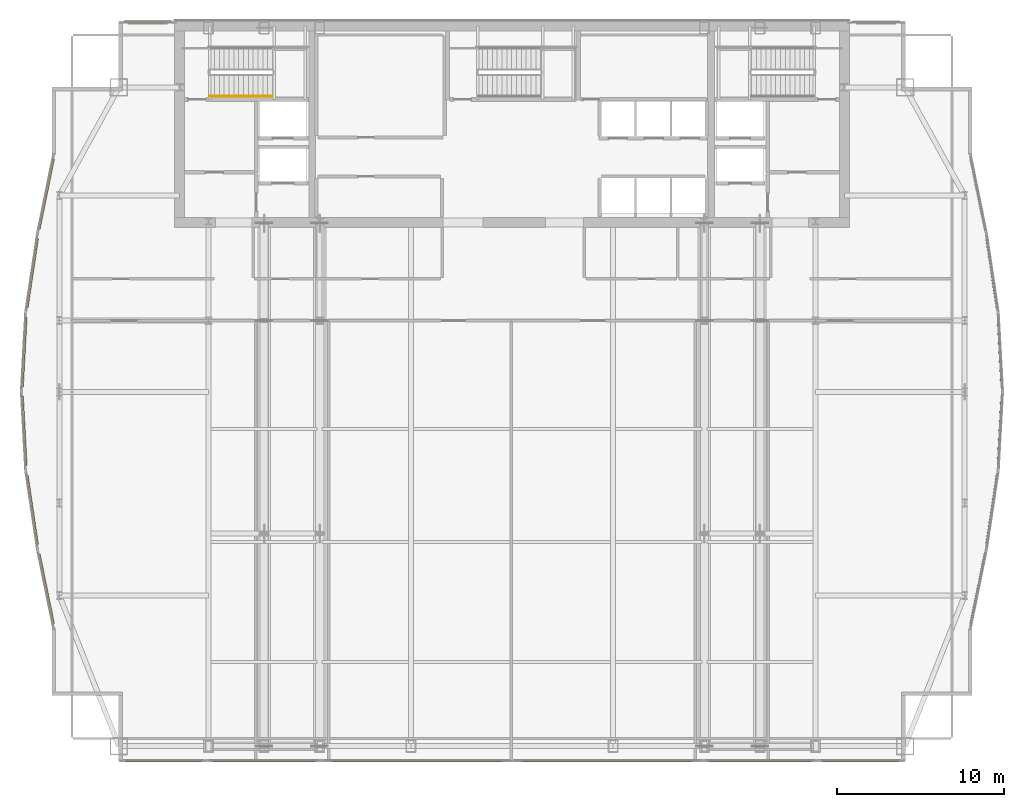
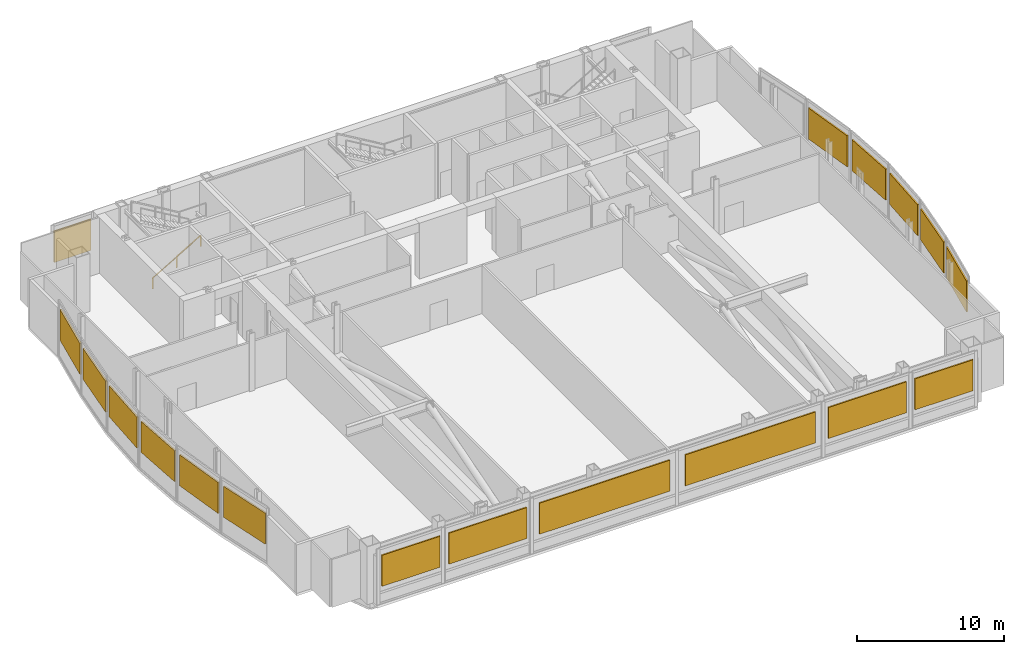
# One storey, part 31 of 32: 18 shading devices, 1 railing.
"""IFC4 building model written with IfcOpenShell, lengths in metres."""

from ifc_helpers import new_model, si_unit, direction, frame, origin, origin_2d, place, context, subcontext, project, spatial, rectangle, extrude, material, layer, layer_set, type_object, element, save


model = new_model("IFC4")

# Units and contexts
model_context = context("Model", 3, precision=1e-05, world=origin(), true_north=direction((0.0, 1.0)))
body_context = subcontext(model_context, "Body", "Model", "MODEL_VIEW")
ifc_project = project(units=[si_unit("LENGTHUNIT", "METRE"), si_unit("AREAUNIT", "SQUARE_METRE"), si_unit("VOLUMEUNIT", "CUBIC_METRE"), si_unit("PLANEANGLEUNIT", "RADIAN"), si_unit("MASSUNIT", "GRAM", prefix="KILO")], contexts=[model_context])

# Site, building, storey
site_placement = place(None, origin())
site = spatial("IfcSite", under=ifc_project, at=site_placement, CompositionType="ELEMENT")
building_placement = place(site_placement, origin())
building = spatial("IfcBuilding", under=site, at=building_placement, Name="Khoronbel Lancet Exchange", CompositionType="ELEMENT")
storey_placement = place(building_placement, frame((0.0, 0.0, 257.0)))
storey = spatial("IfcBuildingStorey", under=building, at=storey_placement, Name="L66", CompositionType="ELEMENT", Elevation=257.0)

# Railing
ifc_material_1 = material(Name="Brushed Stainless Steel 316", Category="steel")
railing_type = type_object("IfcRailingType", Name="RL-STH92", PredefinedType="HANDRAIL", material=ifc_material_1)
railing_placement = place(storey_placement, frame((18.300048828125, 49.169921875, 0.17138671875)))
element("IfcRailing", 1, at=railing_placement, inside=storey, type_object=railing_type, Name="L66 ST1 stair handrail 1", PredefinedType="HANDRAIL", context=body_context, shape_type="SweptSolid", body=[
    extrude(rectangle(XDim=0.048095703125, YDim=0.048095703125, at=origin_2d()), frame((0.0, 0.0, 0.8759765625), z_axis=(0.860848830602, 0.0, 0.508860777473), x_axis=(0.0, 1.0, 0.0)), (0.0, 0.0, 1.0), 4.37939453125),
    extrude(rectangle(XDim=0.0419921875, YDim=0.0419921875, at=origin_2d()), origin(), (0.0, 0.0, 1.0), 0.851806640625),
    extrude(rectangle(XDim=0.0419921875, YDim=0.0419921875, at=origin_2d()), frame((1.885009765625, 0.0, 1.1142578125)), (0.0, 0.0, 1.0), 0.851806640625),
    extrude(rectangle(XDim=0.0419921875, YDim=0.0419921875, at=origin_2d()), frame((3.77001953125, 0.0, 2.228515625)), (0.0, 0.0, 1.0), 0.851806640625),
])

# Shading devices
ifc_material_2 = material(Name="Bronze-Anodised Aluminium 6063-T6", Category="aluminium")
ifc_layer = layer(ifc_material_2, 0.1201171875, Name="Bronze-Anodised Aluminium 6063-T6")
ifc_layer_set = layer_set([ifc_layer], Name="Bronze-Anodised Aluminium 6063-T6")
shading_device_type = type_object("IfcShadingDeviceType", Name="SHD-LVR1", PredefinedType="JALOUSIE", material=ifc_layer_set)
shading_device_1_placement = place(storey_placement, frame((8.49365234375, 19.595458984375, 1.47119140625), z_axis=(0.0, 0.0, 1.0), x_axis=(-0.200052024611, 0.979785276195, 0.0)))
element("IfcShadingDevice", 2, at=shading_device_1_placement, inside=storey, type_object=shading_device_type, Name="Sand-trap bronze acoustic louvre CW-L66-E04-1", PredefinedType="JALOUSIE", context=body_context, shape_type="SweptSolid", body=[
    extrude(rectangle(XDim=4.288330078125, YDim=0.1201171875, at=origin_2d()), origin(), (0.0, 0.0, 1.0), 2.57763671875),
])
shading_device_2_placement = place(storey_placement, frame((7.65380859375, 24.34326171875, 1.47119140625), z_axis=(0.0, 0.0, 1.0), x_axis=(-0.147869395619, 0.98900689676, 0.0)))
element("IfcShadingDevice", 3, at=shading_device_2_placement, inside=storey, type_object=shading_device_type, Name="Sand-trap bronze acoustic louvre CW-L66-E05-1", PredefinedType="JALOUSIE", context=body_context, shape_type="SweptSolid", body=[
    extrude(rectangle(XDim=4.235595703125, YDim=0.1201171875, at=origin_2d()), origin(), (0.0, 0.0, 1.0), 2.57763671875),
])
for number, where, z_axis, x_axis, name in (
    (4, (7.169921875, 29.081787109375, 1.47119140625), (0.0, 0.0, 1.0), (-0.05463363027, 0.998506467903, 0.0), "Sand-trap bronze acoustic louvre CW-L66-E06-1"),
    (5, (7.169921875, 33.818359375, 1.47119140625), (0.0, 0.0, 1.0), (0.05463363027, 0.998506467903, 0.0), "Sand-trap bronze acoustic louvre CW-L66-E07-1"),
):
    element("IfcShadingDevice", number, at=place(storey_placement, frame(where, z_axis=z_axis, x_axis=x_axis)), inside=storey, type_object=shading_device_type, Name=name, PredefinedType="JALOUSIE", context=body_context, shape_type="SweptSolid", body=[
        extrude(rectangle(XDim=4.192138671875, YDim=0.1201171875, at=origin_2d()), origin(), (0.0, 0.0, 1.0), 2.57763671875),
    ])
shading_device_3_placement = place(storey_placement, frame((7.65380859375, 38.556640625, 1.47119140625), z_axis=(0.0, 0.0, 1.0), x_axis=(0.147869395619, 0.98900689676, 0.0)))
element("IfcShadingDevice", 6, at=shading_device_3_placement, inside=storey, type_object=shading_device_type, Name="Sand-trap bronze acoustic louvre CW-L66-E08-1", PredefinedType="JALOUSIE", context=body_context, shape_type="SweptSolid", body=[
    extrude(rectangle(XDim=4.235595703125, YDim=0.1201171875, at=origin_2d()), origin(), (0.0, 0.0, 1.0), 2.57763671875),
])
shading_device_4_placement = place(storey_placement, frame((8.49365234375, 43.3046875, 1.47119140625), z_axis=(0.0, 0.0, 1.0), x_axis=(0.200052024611, 0.979785276195, 0.0)))
element("IfcShadingDevice", 7, at=shading_device_4_placement, inside=storey, type_object=shading_device_type, Name="Sand-trap bronze acoustic louvre CW-L66-E09-1", PredefinedType="JALOUSIE", context=body_context, shape_type="SweptSolid", body=[
    extrude(rectangle(XDim=4.288330078125, YDim=0.1201171875, at=origin_2d()), origin(), (0.0, 0.0, 1.0), 2.57763671875),
])
shading_device_5_placement = place(storey_placement, frame((14.580078125, 53.64990234375, 1.47119140625), z_axis=(0.0, 0.0, 1.0), x_axis=(-1.0, 0.0, 0.0)))
element("IfcShadingDevice", 8, at=shading_device_5_placement, inside=storey, type_object=shading_device_type, Name="Sand-trap bronze acoustic louvre CW-L66-NWFLK-1", PredefinedType="JALOUSIE", context=body_context, shape_type="SweptSolid", body=[
    extrude(rectangle(XDim=2.87109375, YDim=0.1201171875, at=origin_2d()), origin(), (0.0, 0.0, 1.0), 2.57763671875),
])
shading_device_6_placement = place(storey_placement, frame((65.24609375, 38.556640625, 1.47119140625), z_axis=(0.0, 0.0, 1.0), x_axis=(0.147869395619, -0.98900689676, 0.0)))
element("IfcShadingDevice", 9, at=shading_device_6_placement, inside=storey, type_object=shading_device_type, Name="Sand-trap bronze acoustic louvre CW-L66-E18-1", PredefinedType="JALOUSIE", context=body_context, shape_type="SweptSolid", body=[
    extrude(rectangle(XDim=4.235595703125, YDim=0.1201171875, at=origin_2d()), origin(), (0.0, 0.0, 1.0), 2.57763671875),
])
for number, where, z_axis, x_axis, name in (
    (10, (65.730224609375, 33.818359375, 1.47119140625), (0.0, 0.0, 1.0), (0.05463363027, -0.998506467903, 0.0), "Sand-trap bronze acoustic louvre CW-L66-E19-1"),
    (11, (65.730224609375, 29.081787109375, 1.47119140625), (0.0, 0.0, 1.0), (-0.05463363027, -0.998506467903, 0.0), "Sand-trap bronze acoustic louvre CW-L66-E20-1"),
):
    element("IfcShadingDevice", number, at=place(storey_placement, frame(where, z_axis=z_axis, x_axis=x_axis)), inside=storey, type_object=shading_device_type, Name=name, PredefinedType="JALOUSIE", context=body_context, shape_type="SweptSolid", body=[
        extrude(rectangle(XDim=4.192138671875, YDim=0.1201171875, at=origin_2d()), origin(), (0.0, 0.0, 1.0), 2.57763671875),
    ])
shading_device_7_placement = place(storey_placement, frame((65.24609375, 24.34326171875, 1.47119140625), z_axis=(0.0, 0.0, 1.0), x_axis=(-0.147869395619, -0.98900689676, 0.0)))
element("IfcShadingDevice", 12, at=shading_device_7_placement, inside=storey, type_object=shading_device_type, Name="Sand-trap bronze acoustic louvre CW-L66-E21-1", PredefinedType="JALOUSIE", context=body_context, shape_type="SweptSolid", body=[
    extrude(rectangle(XDim=4.235595703125, YDim=0.1201171875, at=origin_2d()), origin(), (0.0, 0.0, 1.0), 2.57763671875),
])
shading_device_8_placement = place(storey_placement, frame((64.406494140625, 19.595458984375, 1.47119140625), z_axis=(0.0, 0.0, 1.0), x_axis=(-0.200052024611, -0.979785276195, 0.0)))
element("IfcShadingDevice", 13, at=shading_device_8_placement, inside=storey, type_object=shading_device_type, Name="Sand-trap bronze acoustic louvre CW-L66-E22-1", PredefinedType="JALOUSIE", context=body_context, shape_type="SweptSolid", body=[
    extrude(rectangle(XDim=4.288330078125, YDim=0.1201171875, at=origin_2d()), origin(), (0.0, 0.0, 1.0), 2.57763671875),
])
shading_device_9_placement = place(storey_placement, frame((15.52001953125, 9.25, 1.47119140625), z_axis=(0.0, 0.0, 1.0), x_axis=(1.0, 0.0, 0.0)))
element("IfcShadingDevice", 14, at=shading_device_9_placement, inside=storey, type_object=shading_device_type, Name="Sand-trap bronze acoustic louvre CW-L66-SWV-1", PredefinedType="JALOUSIE", context=body_context, shape_type="SweptSolid", body=[
    extrude(rectangle(XDim=4.56298828125, YDim=0.1201171875, at=origin_2d()), origin(), (0.0, 0.0, 1.0), 2.57763671875),
])
shading_device_10_placement = place(storey_placement, frame((21.550048828125, 9.25, 1.47119140625), z_axis=(0.0, 0.0, 1.0), x_axis=(1.0, 0.0, 0.0)))
element("IfcShadingDevice", 15, at=shading_device_10_placement, inside=storey, type_object=shading_device_type, Name="Sand-trap bronze acoustic louvre CW-L66-SWB-1", PredefinedType="JALOUSIE", context=body_context, shape_type="SweptSolid", body=[
    extrude(rectangle(XDim=6.12890625, YDim=0.1201171875, at=origin_2d()), origin(), (0.0, 0.0, 1.0), 2.57763671875),
])
for number, where, z_axis, x_axis, name in (
    (16, (30.72509765625, 9.25, 1.47119140625), (0.0, 0.0, 1.0), (1.0, 0.0, 0.0), "Sand-trap bronze acoustic louvre CW-L66-SCV-1"),
    (17, (42.175048828125, 9.25, 1.47119140625), (0.0, 0.0, 1.0), (1.0, 0.0, 0.0), "Sand-trap bronze acoustic louvre CW-L66-SCV-2"),
):
    element("IfcShadingDevice", number, at=place(storey_placement, frame(where, z_axis=z_axis, x_axis=x_axis)), inside=storey, type_object=shading_device_type, Name=name, PredefinedType="JALOUSIE", context=body_context, shape_type="SweptSolid", body=[
        extrude(rectangle(XDim=10.22412109375, YDim=0.1201171875, at=origin_2d()), origin(), (0.0, 0.0, 1.0), 2.57763671875),
    ])
shading_device_11_placement = place(storey_placement, frame((51.35009765625, 9.25, 1.47119140625), z_axis=(0.0, 0.0, 1.0), x_axis=(1.0, 0.0, 0.0)))
element("IfcShadingDevice", 18, at=shading_device_11_placement, inside=storey, type_object=shading_device_type, Name="Sand-trap bronze acoustic louvre CW-L66-SEB-1", PredefinedType="JALOUSIE", context=body_context, shape_type="SweptSolid", body=[
    extrude(rectangle(XDim=6.12890625, YDim=0.1201171875, at=origin_2d()), origin(), (0.0, 0.0, 1.0), 2.57763671875),
])
shading_device_12_placement = place(storey_placement, frame((57.3798828125, 9.25, 1.47119140625), z_axis=(0.0, 0.0, 1.0), x_axis=(1.0, 0.0, 0.0)))
element("IfcShadingDevice", 19, at=shading_device_12_placement, inside=storey, type_object=shading_device_type, Name="Sand-trap bronze acoustic louvre CW-L66-SEV-1", PredefinedType="JALOUSIE", context=body_context, shape_type="SweptSolid", body=[
    extrude(rectangle(XDim=4.56298828125, YDim=0.1201171875, at=origin_2d()), origin(), (0.0, 0.0, 1.0), 2.57763671875),
])

save(model, "model.ifc")
